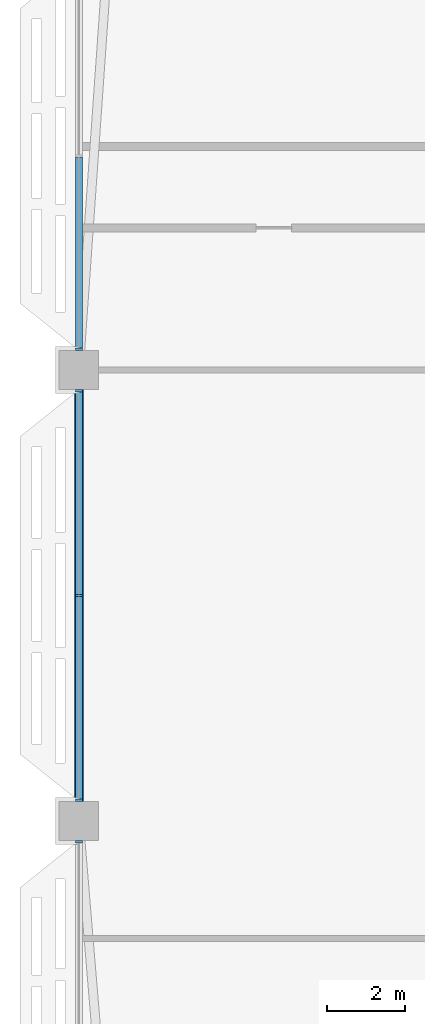
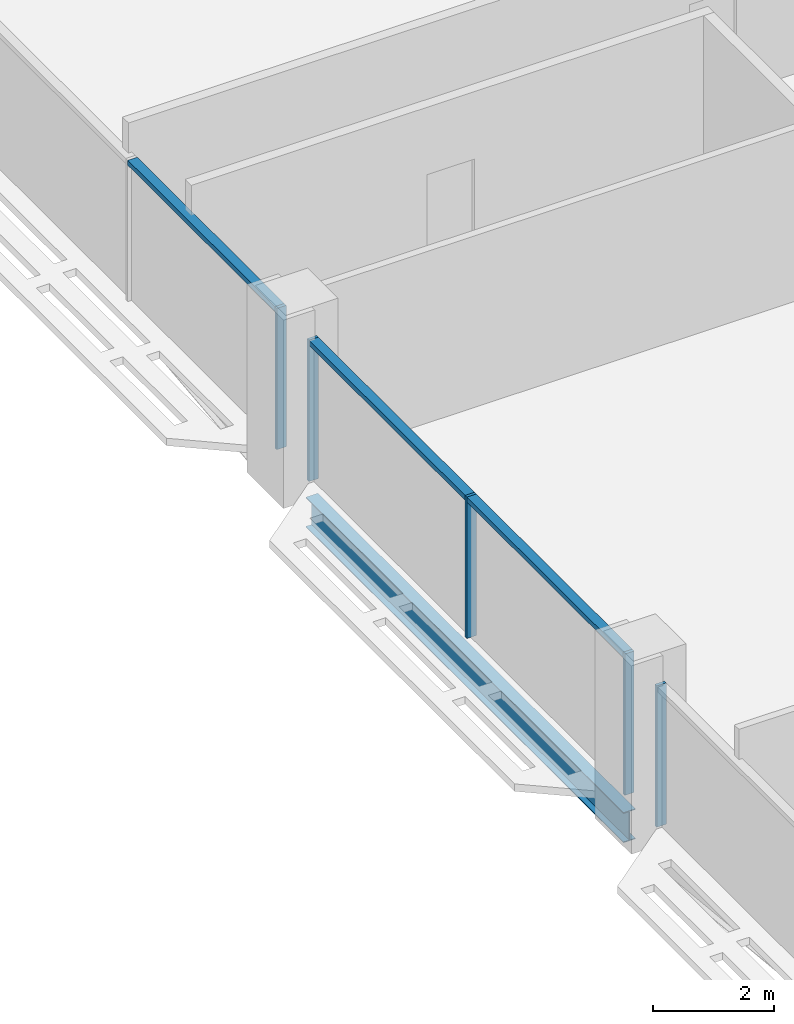
# One storey, part 7 of 32: 8 members, 1 beam, 3 elements without a shape of their own.
"""IFC4 building model written with IfcOpenShell, lengths in metres."""

from ifc_helpers import new_model, si_unit, direction, frame, origin, origin_2d, place, context, subcontext, project, spatial, rectangle, i_section, extrude, material, material_profile, profile_set, type_object, element, aggregate, save


model = new_model("IFC4")

# Units and contexts
model_context = context("Model", 3, precision=1e-05, world=origin(), true_north=direction((0.0, 1.0)))
body_context = subcontext(model_context, "Body", "Model", "MODEL_VIEW")
ifc_project = project(units=[si_unit("LENGTHUNIT", "METRE"), si_unit("AREAUNIT", "SQUARE_METRE"), si_unit("VOLUMEUNIT", "CUBIC_METRE"), si_unit("PLANEANGLEUNIT", "RADIAN"), si_unit("MASSUNIT", "GRAM", prefix="KILO")], contexts=[model_context])

# Site, building, storey
site_placement = place(None, origin())
site = spatial("IfcSite", under=ifc_project, at=site_placement, CompositionType="ELEMENT")
building_placement = place(site_placement, origin())
building = spatial("IfcBuilding", under=site, at=building_placement, Name="Mahtab Terrace Research Tower", CompositionType="ELEMENT")
storey_placement = place(building_placement, frame((0.0, 0.0, 240.0)))
storey = spatial("IfcBuildingStorey", under=building, at=storey_placement, Name="L58", CompositionType="ELEMENT", Elevation=240.0)

# Curtain wall, member
ifc_material_1 = material(Name="Office ribbon curtain wall")
curtain_wall_type = type_object("IfcCurtainWallType", Name="Office ribbon curtain wall", PredefinedType="NOTDEFINED", material=ifc_material_1)
curtain_wall_1_placement = place(storey_placement, origin())
curtain_wall_1 = element("IfcCurtainWall", 1, at=curtain_wall_1_placement, inside=storey, type_object=curtain_wall_type, Name="EN.L58.8.8", PredefinedType="NOTDEFINED")
ifc_material_2 = material(Name="Natural anodised aluminium", Category="aluminium")
ifc_material_profile_1 = material_profile(ifc_material_2, rectangle(XDim=0.179931640625, YDim=0.06005859375, at=origin_2d()), Name="MULLION 60x180")
ifc_profile_set_1 = profile_set([ifc_material_profile_1], Name="Natural anodised aluminium")
member_type_1 = type_object("IfcMemberType", Name="Office ribbon curtain wall mullion", PredefinedType="MULLION", material=ifc_profile_set_1)
member_1_placement = place(storey_placement, frame((-42.0, 12.030029296875, 0.0), z_axis=(0.0, 0.0, 1.0), x_axis=(1.0, 0.0, 0.0)))
member_1 = element("IfcMember", 2, at=member_1_placement, type_object=member_type_1, Name="CWO-7 mullion 3", PredefinedType="MULLION", context=body_context, shape_type="SweptSolid", body=[
    extrude(rectangle(XDim=0.179931640625, YDim=0.06005859375, at=origin_2d()), origin(), (0.0, 0.0, 1.0), 2.852783203125),
])

# Curtain wall, members
curtain_wall_2_placement = place(storey_placement, origin())
curtain_wall_2 = element("IfcCurtainWall", 3, at=curtain_wall_2_placement, inside=storey, type_object=curtain_wall_type, Name="EN.L58.8.9", PredefinedType="NOTDEFINED")
member_2_placement = place(storey_placement, frame((-42.0, 10.969970703125, 0.0), z_axis=(0.0, 0.0, 1.0), x_axis=(1.0, 0.0, 0.0)))
member_2 = element("IfcMember", 4, at=member_2_placement, type_object=member_type_1, Name="CWO-7 mullion 1", PredefinedType="MULLION", context=body_context, shape_type="SweptSolid", body=[
    extrude(rectangle(XDim=0.179931640625, YDim=0.06005859375, at=origin_2d()), origin(), (0.0, 0.0, 1.0), 2.852783203125),
])
member_3_placement = place(storey_placement, frame((-42.0, 5.75, 0.0), z_axis=(0.0, 0.0, 1.0), x_axis=(1.0, 0.0, 0.0)))
member_3 = element("IfcMember", 5, at=member_3_placement, type_object=member_type_1, Name="CWO-7 mullion 2", PredefinedType="MULLION", context=body_context, shape_type="SweptSolid", body=[
    extrude(rectangle(XDim=0.179931640625, YDim=0.06005859375, at=origin_2d()), origin(), (0.0, 0.0, 1.0), 2.852783203125),
])
member_4_placement = place(storey_placement, frame((-42.0, 0.530029296875, 0.0), z_axis=(0.0, 0.0, 1.0), x_axis=(1.0, 0.0, 0.0)))
member_4 = element("IfcMember", 6, at=member_4_placement, type_object=member_type_1, Name="CWO-7 mullion 3", PredefinedType="MULLION", context=body_context, shape_type="SweptSolid", body=[
    extrude(rectangle(XDim=0.179931640625, YDim=0.06005859375, at=origin_2d()), origin(), (0.0, 0.0, 1.0), 2.852783203125),
])

# Curtain wall, member
curtain_wall_3_placement = place(storey_placement, origin())
curtain_wall_3 = element("IfcCurtainWall", 7, at=curtain_wall_3_placement, inside=storey, type_object=curtain_wall_type, Name="EN.L58.8.10", PredefinedType="NOTDEFINED")
member_5_placement = place(storey_placement, frame((-42.0, -0.530029296875, 0.0), z_axis=(0.0, 0.0, 1.0), x_axis=(1.0, 0.0, 0.0)))
member_5 = element("IfcMember", 8, at=member_5_placement, type_object=member_type_1, Name="CWO-7 mullion 1", PredefinedType="MULLION", context=body_context, shape_type="SweptSolid", body=[
    extrude(rectangle(XDim=0.179931640625, YDim=0.06005859375, at=origin_2d()), origin(), (0.0, 0.0, 1.0), 2.852783203125),
])
aggregate(curtain_wall_3, [member_5])

# Member
ifc_material_profile_2 = material_profile(ifc_material_2, rectangle(XDim=0.179931640625, YDim=0.10009765625, at=origin_2d()), Name="TRANSOM 100x180")
ifc_profile_set_2 = profile_set([ifc_material_profile_2], Name="Natural anodised aluminium")
member_type_2 = type_object("IfcMemberType", Name="Office ribbon curtain wall transom", PredefinedType="USERDEFINED", material=ifc_profile_set_2)
member_6_placement = place(storey_placement, frame((-42.0, 16.928466796875, 2.802978515625), z_axis=(0.0, -1.0, 0.0), x_axis=(1.0, 0.0, 0.0)))
member_6 = element("IfcMember", 9, at=member_6_placement, type_object=member_type_2, Name="CWO-7 transom 2", ObjectType="TRANSOM", PredefinedType="USERDEFINED", context=body_context, shape_type="SweptSolid", body=[
    extrude(rectangle(XDim=0.179931640625, YDim=0.10009765625, at=origin_2d()), origin(), (0.0, 0.0, 1.0), 4.868408203125),
])

aggregate(curtain_wall_1, [member_1, member_6])

member_7_placement = place(storey_placement, frame((-42.0, 10.93994140625, 2.802978515625), z_axis=(0.0, -1.0, 0.0), x_axis=(1.0, 0.0, 0.0)))
member_7 = element("IfcMember", 10, at=member_7_placement, type_object=member_type_2, Name="CWO-7 transom 1", ObjectType="TRANSOM", PredefinedType="USERDEFINED", context=body_context, shape_type="SweptSolid", body=[
    extrude(rectangle(XDim=0.179931640625, YDim=0.10009765625, at=origin_2d()), origin(), (0.0, 0.0, 1.0), 5.159912109375),
])

member_8_placement = place(storey_placement, frame((-42.0, 5.719970703125, 2.802978515625), z_axis=(0.0, -1.0, 0.0), x_axis=(1.0, 0.0, 0.0)))
member_8 = element("IfcMember", 11, at=member_8_placement, type_object=member_type_2, Name="CWO-7 transom 2", ObjectType="TRANSOM", PredefinedType="USERDEFINED", context=body_context, shape_type="SweptSolid", body=[
    extrude(rectangle(XDim=0.179931640625, YDim=0.10009765625, at=origin_2d()), origin(), (0.0, 0.0, 1.0), 5.159912109375),
])

aggregate(curtain_wall_2, [member_2, member_3, member_4, member_7, member_8])

# Beam
ifc_material_3 = material(Name="Steel ASTM A992 Gr 50", Category="steel")
ifc_material_profile_3 = material_profile(ifc_material_3, i_section(OverallWidth=0.228271484375, OverallDepth=0.607177734375, WebThickness=0.01123046875, FlangeThickness=0.017333984375, at=origin_2d()), Name="W24X76")
ifc_profile_set_3 = profile_set([ifc_material_profile_3], Name="Steel ASTM A992 Gr 50")
beam_type = type_object("IfcBeamType", Name="W24x76 beam BS2476", PredefinedType="BEAM", material=ifc_profile_set_3)
beam_placement = place(storey_placement, frame((-42.0, 11.0, -0.6435546875), z_axis=(0.0, -1.0, 0.0), x_axis=(1.0, 0.0, 0.0)))
element("IfcBeam", 12, at=beam_placement, inside=storey, type_object=beam_type, Name="Spandrel beam L58 10", PredefinedType="BEAM", context=body_context, shape_type="SweptSolid", body=[
    extrude(i_section(OverallWidth=0.228271484375, OverallDepth=0.607177734375, WebThickness=0.01123046875, FlangeThickness=0.017333984375, at=origin_2d()), origin(), (0.0, 0.0, 1.0), 10.5),
])

save(model, "model.ifc")
